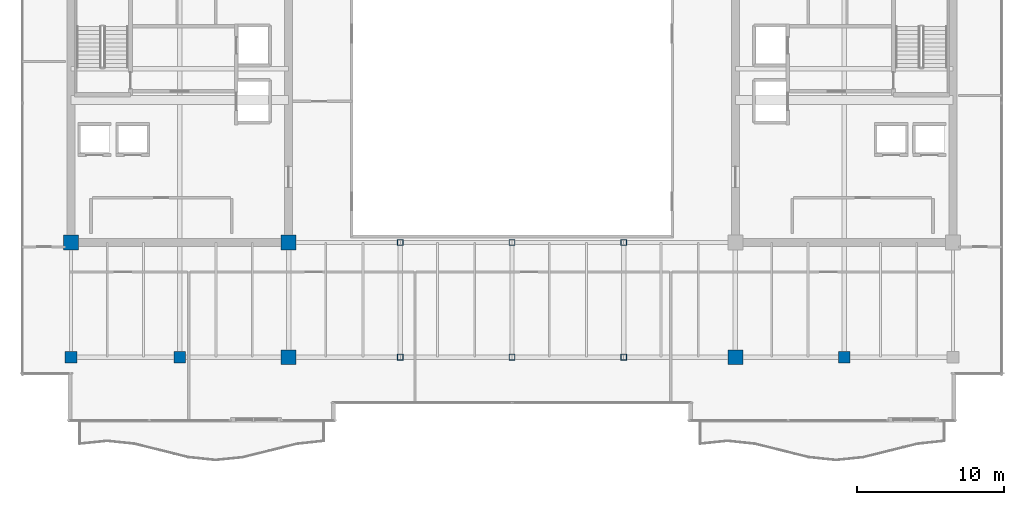
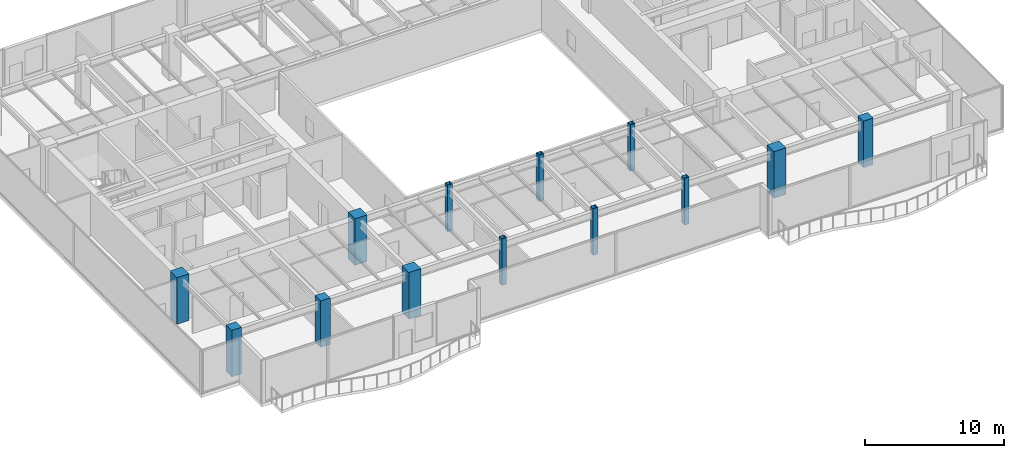
# One storey, part 1 of 34: 13 columns.
"""IFC4 building model written with IfcOpenShell, lengths in metres."""

from ifc_helpers import new_model, si_unit, direction, frame, origin, origin_2d, place, context, subcontext, project, spatial, rectangle, hollow_rectangle, extrude, source, transform, mapped, material, material_profile, profile_set, type_object, type_shapes, element, save


model = new_model("IFC4")

# Units and contexts
model_context = context("Model", 3, precision=1e-05, world=origin(), true_north=direction((0.0, 1.0)))
body_context = subcontext(model_context, "Body", "Model", "MODEL_VIEW")
ifc_project = project(units=[si_unit("LENGTHUNIT", "METRE"), si_unit("AREAUNIT", "SQUARE_METRE"), si_unit("VOLUMEUNIT", "CUBIC_METRE"), si_unit("PLANEANGLEUNIT", "RADIAN"), si_unit("MASSUNIT", "GRAM", prefix="KILO")], contexts=[model_context])

# Site, building, storey
site_placement = place(None, origin())
site = spatial("IfcSite", under=ifc_project, at=site_placement, CompositionType="ELEMENT")
building_placement = place(site_placement, origin())
building = spatial("IfcBuilding", under=site, at=building_placement, Name="Haelvirn Gate Laboratories", CompositionType="ELEMENT")
storey_placement = place(building_placement, frame((0.0, 0.0, 246.5)))
storey = spatial("IfcBuildingStorey", under=building, at=storey_placement, Name="L59", CompositionType="ELEMENT", Elevation=246.5)

# Columns
ifc_material_1 = material(Name="Concrete C60/75", Category="concrete")
ifc_material_profile_1 = material_profile(ifc_material_1, rectangle(XDim=1.0, YDim=1.0, at=origin_2d()), Name="RC-1000x1000")
ifc_profile_set_1 = profile_set([ifc_material_profile_1], Name="Concrete C60/75")
column_type_1 = type_object("IfcColumnType", Name="COL-RC-1000", PredefinedType="COLUMN", material=ifc_profile_set_1)
shared_shape_1 = source(origin(), body_context, "Body", "SweptSolid", [
    extrude(rectangle(XDim=1.0, YDim=1.0, at=origin_2d()), origin(), (0.0, 0.0, 1.0), 4.10009765625),
])
type_shapes(column_type_1, [shared_shape_1])
for number, where, z_axis, x_axis, name in (
    (1, (22.199951171875, 7.0, 0.0), (0.0, 0.0, 1.0), (1.0, 0.0, 0.0), "L59 Column 4B"),
    (2, (7.39990234375, 14.800048828125, 0.0), (0.0, 0.0, 1.0), (1.0, 0.0, 0.0), "L59 Column 2C"),
    (3, (22.199951171875, 14.800048828125, 0.0), (0.0, 0.0, 1.0), (1.0, 0.0, 0.0), "L59 Column 4C"),
    (4, (52.60009765625, 7.0, 0.0), (0.0, 0.0, 1.0), (1.0, 0.0, 0.0), "L59 Column 8B"),
):
    element("IfcColumn", number, at=place(storey_placement, frame(where, z_axis=z_axis, x_axis=x_axis)), inside=storey, type_object=column_type_1, Name=name, PredefinedType="COLUMN", context=body_context, shape_type="MappedRepresentation", body=[
        mapped(shared_shape_1, transform((0.0, 0.0, 0.0), scale=1.0)),
    ])
ifc_material_2 = material(Name="Concrete C50/60", Category="concrete")
ifc_material_profile_2 = material_profile(ifc_material_2, rectangle(XDim=0.800048828125, YDim=0.800048828125, at=origin_2d()), Name="RC-800x800")
ifc_profile_set_2 = profile_set([ifc_material_profile_2], Name="Concrete C50/60")
column_type_2 = type_object("IfcColumnType", Name="COL-RC-800", PredefinedType="COLUMN", material=ifc_profile_set_2)
shared_shape_2 = source(origin(), body_context, "Body", "SweptSolid", [
    extrude(rectangle(XDim=0.800048828125, YDim=0.800048828125, at=origin_2d()), origin(), (0.0, 0.0, 1.0), 4.10009765625),
])
type_shapes(column_type_2, [shared_shape_2])
for number, where, z_axis, x_axis, name in (
    (5, (14.800048828125, 7.0, 0.0), (0.0, 0.0, 1.0), (1.0, 0.0, 0.0), "L59 Column 3B"),
    (6, (60.0, 7.0, 0.0), (0.0, 0.0, 1.0), (1.0, 0.0, 0.0), "L59 Column 9B"),
    (7, (7.39990234375, 7.0, 0.0), (0.0, 0.0, 1.0), (1.0, 0.0, 0.0), "L59 Column 2B"),
):
    element("IfcColumn", number, at=place(storey_placement, frame(where, z_axis=z_axis, x_axis=x_axis)), inside=storey, type_object=column_type_2, Name=name, PredefinedType="COLUMN", context=body_context, shape_type="MappedRepresentation", body=[
        mapped(shared_shape_2, transform((0.0, 0.0, 0.0), scale=1.0)),
    ])
ifc_material_3 = material(Name="Steel SM355", Category="steel")
ifc_material_profile_3 = material_profile(ifc_material_3, hollow_rectangle(XDim=0.39990234375, YDim=0.39990234375, WallThickness=0.01904296875, at=origin_2d()), Name="BOX-400x400x19")
ifc_profile_set_3 = profile_set([ifc_material_profile_3], Name="Steel SM355")
column_type_3 = type_object("IfcColumnType", Name="COL-BOX-400", PredefinedType="COLUMN", material=ifc_profile_set_3)
shared_shape_3 = source(origin(), body_context, "Body", "SweptSolid", [
    extrude(hollow_rectangle(XDim=0.39990234375, YDim=0.39990234375, WallThickness=0.01904296875, at=origin_2d()), origin(), (0.0, 0.0, 1.0), 4.10009765625),
])
type_shapes(column_type_3, [shared_shape_3])
for number, where, z_axis, x_axis, name in (
    (8, (29.800048828125, 7.0, 0.0), (0.0, 0.0, 1.0), (1.0, 0.0, 0.0), "L59 Column 5B"),
    (9, (29.800048828125, 14.800048828125, 0.0), (0.0, 0.0, 1.0), (1.0, 0.0, 0.0), "L59 Column 5C"),
    (10, (37.39990234375, 7.0, 0.0), (0.0, 0.0, 1.0), (1.0, 0.0, 0.0), "L59 Column 6B"),
    (11, (37.39990234375, 14.800048828125, 0.0), (0.0, 0.0, 1.0), (1.0, 0.0, 0.0), "L59 Column 6C"),
    (12, (45.0, 7.0, 0.0), (0.0, 0.0, 1.0), (1.0, 0.0, 0.0), "L59 Column 7B"),
    (13, (45.0, 14.800048828125, 0.0), (0.0, 0.0, 1.0), (1.0, 0.0, 0.0), "L59 Column 7C"),
):
    element("IfcColumn", number, at=place(storey_placement, frame(where, z_axis=z_axis, x_axis=x_axis)), inside=storey, type_object=column_type_3, Name=name, PredefinedType="COLUMN", context=body_context, shape_type="MappedRepresentation", body=[
        mapped(shared_shape_3, transform((0.0, 0.0, 0.0), scale=1.0)),
    ])

save(model, "model.ifc")
